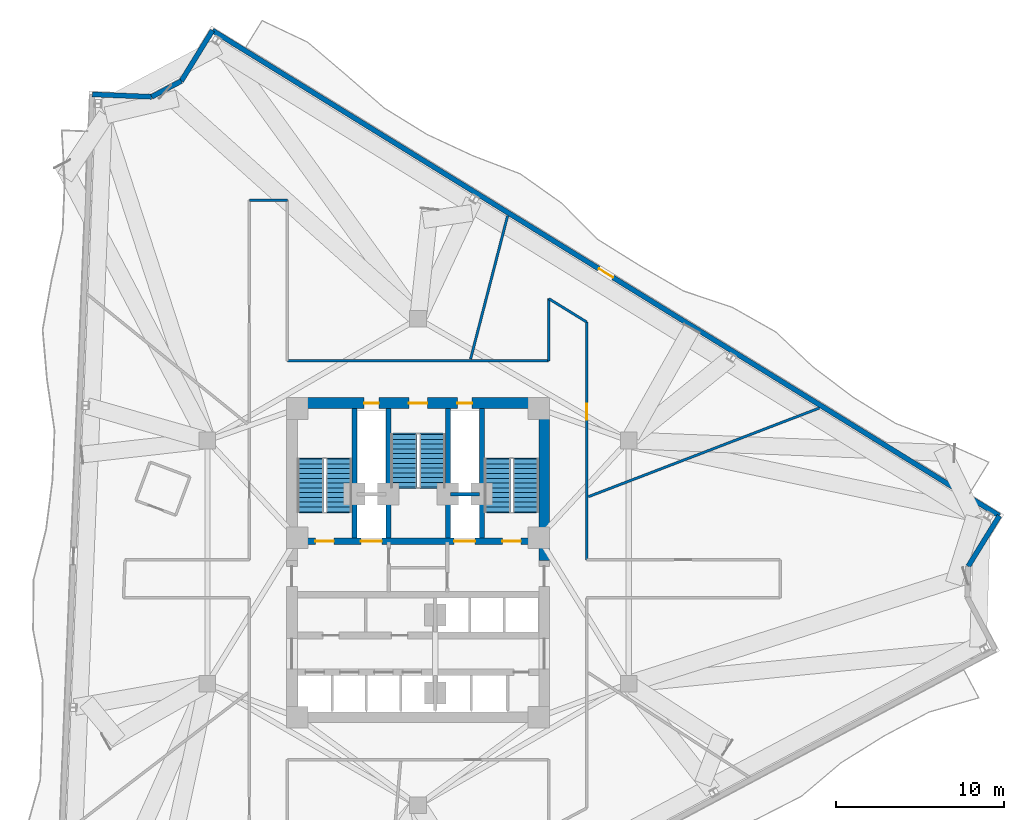
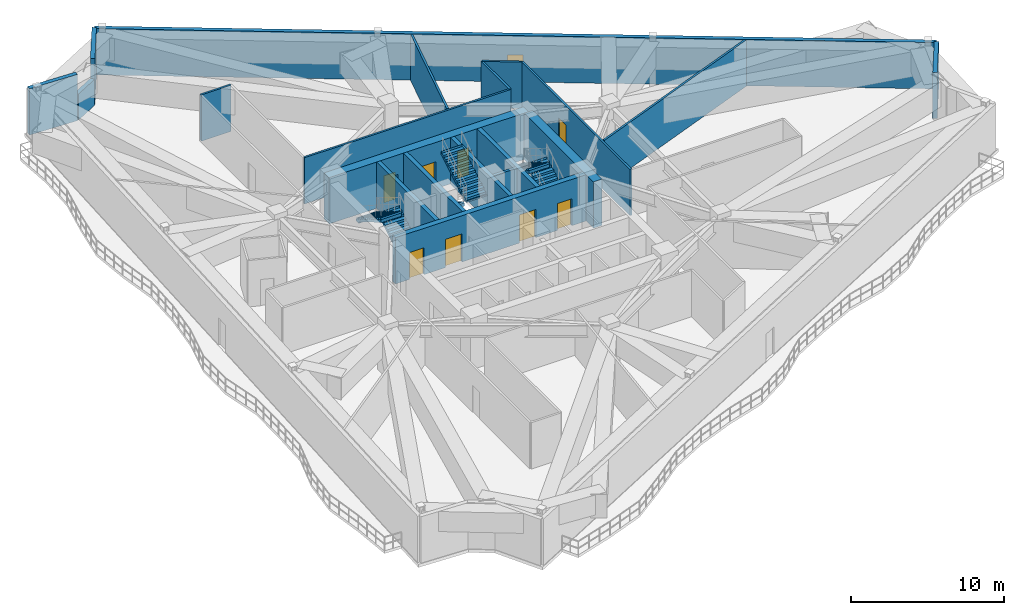
# One storey, part 10 of 14: 20 walls, 9 doors, 6 stair flights, 9 openings, 3 elements without a shape of their own.
"""IFC4 building model written with IfcOpenShell, lengths in metres."""

from ifc_helpers import new_model, si_unit, direction, frame, frame_2d, origin, place, context, subcontext, project, spatial, polyline, rectangle, outline, extrude, material, layer, layer_set, type_object, element, fill, aggregate, save


model = new_model("IFC4")

# Units and contexts
model_context = context("Model", 3, precision=1e-05, world=origin(), true_north=direction((0.0, 1.0)))
body_context = subcontext(model_context, "Body", "Model", "MODEL_VIEW")
ifc_project = project(units=[si_unit("LENGTHUNIT", "METRE"), si_unit("AREAUNIT", "SQUARE_METRE"), si_unit("VOLUMEUNIT", "CUBIC_METRE"), si_unit("PLANEANGLEUNIT", "RADIAN"), si_unit("MASSUNIT", "GRAM", prefix="KILO")], contexts=[model_context])

# Site, building, storey
site_placement = place(None, origin())
site = spatial("IfcSite", under=ifc_project, at=site_placement, CompositionType="ELEMENT")
building_placement = place(site_placement, origin())
building = spatial("IfcBuilding", under=site, at=building_placement, Name="Apsidion Concourse Tower", CompositionType="ELEMENT")
storey_placement = place(building_placement, frame((0.0, 0.0, 190.10009765625)))
storey = spatial("IfcBuildingStorey", under=building, at=storey_placement, Name="L44", CompositionType="ELEMENT", Elevation=190.10009765625)

# Wall, opening, door
ifc_material_1 = material(Name="Precast concrete C40/50", Category="concrete")
ifc_layer_1 = layer(ifc_material_1, 0.300048828125)
ifc_layer_set_1 = layer_set([ifc_layer_1], Name="Precast concrete C40/50")
wall_type_1 = type_object("IfcWallType", Name="WL-EXT-300", PredefinedType="STANDARD", material=ifc_layer_set_1)
wall_1_placement = place(storey_placement, frame((-12.255126953125, 31.68896484375, 0.0), z_axis=(0.0, 0.0, 1.0), x_axis=(0.851166647402, -0.524895549944, 0.0)))
wall_1 = element("IfcWall", 1, at=wall_1_placement, inside=storey, type_object=wall_type_1, Name="L44 Precast Stone Facade Wall 01", PredefinedType="STANDARD", context=body_context, shape_type="SweptSolid", body=[
    extrude(rectangle(XDim=55.110595703125, YDim=0.300048828125, at=frame_2d((27.55517578125, 0.0))), origin(), (0.0, 0.0, 1.0), 3.699951171875),
])
opening_1_placement = place(wall_1_placement, frame((27.055419921875, 0.0, 0.0)))
opening_1 = element("IfcOpeningElement", 2, at=opening_1_placement, cuts=wall_1, Name="Opening D-T1L", PredefinedType="OPENING", context=body_context, shape_type="SweptSolid", body=[
    extrude(rectangle(XDim=1.0, YDim=2.14990234375, at=frame_2d((0.5, 1.074951171875))), frame((0.0, 0.16015625, 0.0), z_axis=(0.0, -1.0, 0.0), x_axis=(1.0, 0.0, 0.0)), (0.0, 0.0, 1.0), 0.320068359375),
])
ifc_material_2 = material(Name="Anodised aluminium EN AW-6063 T6", Category="aluminium")
door_type_1 = type_object("IfcDoorType", Name="DR-TER-1022L", OperationType="SINGLE_SWING_LEFT", PredefinedType="DOOR", material=ifc_material_2)
door_1_placement = place(opening_1_placement, origin())
door_1 = element("IfcDoor", 3, at=door_1_placement, inside=storey, type_object=door_type_1, Name="L44 Balcony Access Door 3", OperationType="SINGLE_SWING_LEFT", OverallHeight=2.14990234375, OverallWidth=1.0, PredefinedType="DOOR", context=body_context, shape_type="SweptSolid", body=[
    extrude(rectangle(XDim=1.0, YDim=2.14990234375, at=frame_2d((0.5, 1.074951171875))), frame((0.0, 0.02490234375, 0.0), z_axis=(0.0, -1.0, 0.0), x_axis=(1.0, 0.0, 0.0)), (0.0, 0.0, 1.0), 0.050048828125),
])
fill(opening_1, door_1)

# Walls
wall_2_placement = place(storey_placement, frame((34.653076171875, 2.76171875, 0.0), z_axis=(0.0, 0.0, 1.0), x_axis=(-0.524920336071, -0.85115136185, 0.0)))
element("IfcWall", 4, at=wall_2_placement, inside=storey, type_object=wall_type_1, Name="L44 Precast Stone Facade Wall 02", PredefinedType="STANDARD", context=body_context, shape_type="SweptSolid", body=[
    extrude(rectangle(XDim=3.541259765625, YDim=0.300048828125, at=frame_2d((1.7705078125, 0.0))), origin(), (0.0, 0.0, 1.0), 3.699951171875),
])
wall_3_placement = place(storey_placement, frame((-19.418212890625, 27.880126953125, 0.0), z_axis=(0.0, 0.0, 1.0), x_axis=(0.999167250485, -0.040802028853, 0.0)))
element("IfcWall", 5, at=wall_3_placement, inside=storey, type_object=wall_type_1, Name="L44 Precast Stone Facade Wall 10", PredefinedType="STANDARD", context=body_context, shape_type="SweptSolid", body=[
    extrude(rectangle(XDim=3.542236328125, YDim=0.300048828125, at=frame_2d((1.77099609375, 0.0))), origin(), (0.0, 0.0, 1.0), 3.699951171875),
])
wall_4_placement = place(storey_placement, frame((-15.87890625, 27.735595703125, 0.0), z_axis=(0.0, 0.0, 1.0), x_axis=(0.882930579665, 0.469503558552, 0.0)))
element("IfcWall", 6, at=wall_4_placement, inside=storey, type_object=wall_type_1, Name="L44 Precast Stone Facade Wall 11", PredefinedType="STANDARD", context=body_context, shape_type="SweptSolid", body=[
    extrude(rectangle(XDim=1.998291015625, YDim=0.300048828125, at=frame_2d((0.9990234375, 0.0))), origin(), (0.0, 0.0, 1.0), 2.079833984375),
])
wall_5_placement = place(storey_placement, frame((-14.114501953125, 28.673828125, 0.0), z_axis=(0.0, 0.0, 1.0), x_axis=(0.524897025004, 0.851165737763, 0.0)))
element("IfcWall", 7, at=wall_5_placement, inside=storey, type_object=wall_type_1, Name="L44 Precast Stone Facade Wall 12", PredefinedType="STANDARD", context=body_context, shape_type="SweptSolid", body=[
    extrude(rectangle(XDim=3.54248046875, YDim=0.300048828125, at=frame_2d((1.771240234375, 0.0))), origin(), (0.0, 0.0, 1.0), 3.699951171875),
])
ifc_material_3 = material(Name="Gypsum plasterboard partition")
ifc_layer_2 = layer(ifc_material_3, 0.14990234375)
ifc_layer_set_2 = layer_set([ifc_layer_2], Name="Gypsum plasterboard partition")
wall_type_2 = type_object("IfcWallType", Name="WL-INT-PAR-150", PredefinedType="PARTITIONING", material=ifc_layer_set_2)
wall_6_placement = place(storey_placement, frame((-10.050048828125, 21.580078125, 0.0), z_axis=(0.0, 0.0, 1.0), x_axis=(1.0, 0.0, 0.0)))
element("IfcWall", 8, at=wall_6_placement, inside=storey, type_object=wall_type_2, Name="L44 Interior Partition WL-L44-CORR-11", PredefinedType="PARTITIONING", context=body_context, shape_type="SweptSolid", body=[
    extrude(rectangle(XDim=2.260009765625, YDim=0.14990234375, at=frame_2d((1.1298828125, 0.0))), origin(), (0.0, 0.0, 1.0), 3.699951171875),
])
wall_7_placement = place(storey_placement, frame((-7.7900390625, 12.0, 0.0), z_axis=(0.0, 0.0, 1.0), x_axis=(1.0, 0.0, 0.0)))
element("IfcWall", 9, at=wall_7_placement, inside=storey, type_object=wall_type_2, Name="L44 Interior Partition WL-L44-CORR-13", PredefinedType="PARTITIONING", context=body_context, shape_type="SweptSolid", body=[
    extrude(rectangle(XDim=15.580078125, YDim=0.14990234375, at=frame_2d((7.7900390625, 0.0))), origin(), (0.0, 0.0, 1.0), 3.699951171875),
])
wall_8_placement = place(storey_placement, frame((7.7900390625, 12.0, 0.0), z_axis=(0.0, 0.0, 1.0), x_axis=(0.0, 1.0, 0.0)))
element("IfcWall", 10, at=wall_8_placement, inside=storey, type_object=wall_type_2, Name="L44 Interior Partition WL-L44-CORR-14", PredefinedType="PARTITIONING", context=body_context, shape_type="SweptSolid", body=[
    extrude(rectangle(XDim=3.703125, YDim=0.14990234375, at=frame_2d((1.8515625, 0.0))), origin(), (0.0, 0.0, 1.0), 3.699951171875),
])
wall_9_placement = place(storey_placement, frame((7.7900390625, 15.703125, 0.0), z_axis=(0.0, 0.0, 1.0), x_axis=(0.851190724913, -0.52485650403, 0.0)))
element("IfcWall", 11, at=wall_9_placement, inside=storey, type_object=wall_type_2, Name="L44 Interior Partition WL-L44-CORR-15", PredefinedType="PARTITIONING", context=body_context, shape_type="SweptSolid", body=[
    extrude(rectangle(XDim=2.655029296875, YDim=0.14990234375, at=frame_2d((1.32763671875, 0.0))), origin(), (0.0, 0.0, 1.0), 3.699951171875),
])

# Wall, opening, door
wall_10_placement = place(storey_placement, frame((10.050048828125, 14.3095703125, 0.0), z_axis=(0.0, 0.0, 1.0), x_axis=(0.0, -1.0, 0.0)))
wall_10 = element("IfcWall", 12, at=wall_10_placement, inside=storey, type_object=wall_type_2, Name="L44 Interior Partition WL-L44-CORR-16", PredefinedType="PARTITIONING", context=body_context, shape_type="SweptSolid", body=[
    extrude(rectangle(XDim=14.1796875, YDim=0.14990234375, at=frame_2d((7.08984375, 0.0))), origin(), (0.0, 0.0, 1.0), 3.699951171875),
])
opening_2_placement = place(wall_10_placement, frame((4.860595703125, 0.0, 0.0)))
opening_2 = element("IfcOpeningElement", 13, at=opening_2_placement, cuts=wall_10, Name="Opening D-01L", PredefinedType="OPENING", context=body_context, shape_type="SweptSolid", body=[
    extrude(rectangle(XDim=0.949951171875, YDim=2.14990234375, at=frame_2d((0.47509765625, 1.074951171875))), frame((0.0, 0.0849609375, 0.0), z_axis=(0.0, -1.0, 0.0), x_axis=(1.0, 0.0, 0.0)), (0.0, 0.0, 1.0), 0.169921875),
])
ifc_material_4 = material(Name="Brushed stainless steel 316", Category="steel")
door_type_2 = type_object("IfcDoorType", Name="DR-INT-D01L", OperationType="SINGLE_SWING_LEFT", PredefinedType="DOOR", material=ifc_material_4)
door_2_placement = place(opening_2_placement, origin())
door_2 = element("IfcDoor", 14, at=door_2_placement, inside=storey, type_object=door_type_2, Name="L44 Corridor Entry Door 05", OperationType="SINGLE_SWING_LEFT", OverallHeight=2.14990234375, OverallWidth=0.949951171875, PredefinedType="DOOR", context=body_context, shape_type="SweptSolid", body=[
    extrude(rectangle(XDim=0.949951171875, YDim=2.14990234375, at=frame_2d((0.47509765625, 1.074951171875))), frame((0.0, 0.02490234375, 0.0), z_axis=(0.0, -1.0, 0.0), x_axis=(1.0, 0.0, 0.0)), (0.0, 0.0, 1.0), 0.050048828125),
])
fill(opening_2, door_2)

# Walls
wall_11_placement = place(storey_placement, frame((10.155029296875, 3.898193359375, 0.0), z_axis=(0.0, 0.0, 1.0), x_axis=(0.933582173368, 0.358363398759, 0.0)))
element("IfcWall", 15, at=wall_11_placement, inside=storey, type_object=wall_type_2, Name="L44 Interior Partition WL-L44-RAD-01-1", PredefinedType="PARTITIONING", context=body_context, shape_type="SweptSolid", body=[
    extrude(rectangle(XDim=14.74951171875, YDim=0.14990234375, at=frame_2d((7.374755859375, 0.0))), origin(), (0.0, 0.0, 1.0), 3.699951171875),
])
wall_12_placement = place(storey_placement, frame((3.130615234375, 12.10498046875, 0.0), z_axis=(0.0, 0.0, 1.0), x_axis=(0.250368509041, 0.968150613118, 0.0)))
element("IfcWall", 16, at=wall_12_placement, inside=storey, type_object=wall_type_2, Name="L44 Interior Partition WL-L44-RAD-02-1", PredefinedType="PARTITIONING", context=body_context, shape_type="SweptSolid", body=[
    extrude(rectangle(XDim=8.821044921875, YDim=0.14990234375, at=frame_2d((4.41064453125, 0.0))), origin(), (0.0, 0.0, 1.0), 3.699951171875),
])
ifc_layer_3 = layer(ifc_material_3, 0.199951171875)
ifc_layer_set_3 = layer_set([ifc_layer_3], Name="Gypsum plasterboard partition")
wall_type_3 = type_object("IfcWallType", Name="WL-INT-PAR-200", PredefinedType="PARTITIONING", material=ifc_layer_set_3)
wall_13_placement = place(storey_placement, frame((1.919921875, 4.050048828125, 0.0), z_axis=(0.0, 0.0, 1.0), x_axis=(1.0, 0.0, 0.0)))
element("IfcWall", 17, at=wall_13_placement, inside=storey, type_object=wall_type_3, Name="L44 Interior Partition WL-L44-FF2-N", PredefinedType="PARTITIONING", context=body_context, shape_type="SweptSolid", body=[
    extrude(rectangle(XDim=1.72998046875, YDim=0.199951171875, at=frame_2d((0.864990234375, 0.0))), origin(), (0.0, 0.0, 1.0), 3.699951171875),
])
ifc_material_5 = material(Name="Concrete C50/60", Category="concrete")
ifc_layer_4 = layer(ifc_material_5, 0.300048828125)
ifc_layer_set_4 = layer_set([ifc_layer_4], Name="Concrete C50/60")
wall_type_4 = type_object("IfcWallType", Name="WL-SH-300", PredefinedType="SHEAR", material=ifc_layer_set_4)
for number, where, z_axis, x_axis, name in (
    (18, (-3.800048828125, 1.449951171875, 0.0), (0.0, 0.0, 1.0), (0.0, 1.0, 0.0), "L44 Central Core Shear Wall V1"),
    (19, (-1.77490234375, 1.449951171875, 0.0), (0.0, 0.0, 1.0), (0.0, 1.0, 0.0), "L44 Central Core Shear Wall V2"),
    (20, (1.77490234375, 1.449951171875, 0.0), (0.0, 0.0, 1.0), (0.0, 1.0, 0.0), "L44 Central Core Shear Wall V3"),
    (21, (3.800048828125, 1.449951171875, 0.0), (0.0, 0.0, 1.0), (0.0, 1.0, 0.0), "L44 Central Core Shear Wall V4"),
):
    element("IfcWall", number, at=place(storey_placement, frame(where, z_axis=z_axis, x_axis=x_axis)), inside=storey, type_object=wall_type_4, Name=name, PredefinedType="SHEAR", context=body_context, shape_type="SweptSolid", body=[
        extrude(rectangle(XDim=7.699951171875, YDim=0.300048828125, at=frame_2d((3.85009765625, 0.0))), origin(), (0.0, 0.0, 1.0), 3.699951171875),
    ])

# Wall, openings, doors
ifc_layer_5 = layer(ifc_material_5, 0.39990234375)
ifc_layer_set_5 = layer_set([ifc_layer_5], Name="Concrete C50/60")
wall_type_5 = type_object("IfcWallType", Name="WL-SH-400", PredefinedType="SHEAR", material=ifc_layer_set_5)
wall_14_placement = place(storey_placement, frame((-7.199951171875, 1.25, 0.0), z_axis=(0.0, 0.0, 1.0), x_axis=(1.0, 0.0, 0.0)))
wall_14 = element("IfcWall", 22, at=wall_14_placement, inside=storey, type_object=wall_type_5, Name="L44 Central Core Shear Wall M1", PredefinedType="SHEAR", context=body_context, shape_type="SweptSolid", body=[
    extrude(rectangle(XDim=14.39990234375, YDim=0.39990234375, at=frame_2d((7.199951171875, 0.0))), origin(), (0.0, 0.0, 1.0), 3.699951171875),
])
opening_3_placement = place(wall_14_placement, frame((3.794921875, 0.0, 0.0)))
opening_3 = element("IfcOpeningElement", 23, at=opening_3_placement, cuts=wall_14, Name="Opening LD-FF", PredefinedType="OPENING", context=body_context, shape_type="SweptSolid", body=[
    extrude(rectangle(XDim=1.25, YDim=2.25, at=frame_2d((0.625, 1.125))), frame((0.0, 0.2099609375, 0.0), z_axis=(0.0, -1.0, 0.0), x_axis=(1.0, 0.0, 0.0)), (0.0, 0.0, 1.0), 0.419921875),
])
opening_4_placement = place(wall_14_placement, frame((9.35498046875, 0.0, 0.0)))
opening_4 = element("IfcOpeningElement", 24, at=opening_4_placement, cuts=wall_14, Name="Opening LD-FF", PredefinedType="OPENING", context=body_context, shape_type="SweptSolid", body=[
    extrude(rectangle(XDim=1.25, YDim=2.25, at=frame_2d((0.625, 1.125))), frame((0.0, 0.2099609375, 0.0), z_axis=(0.0, -1.0, 0.0), x_axis=(1.0, 0.0, 0.0)), (0.0, 0.0, 1.0), 0.419921875),
])
opening_5_placement = place(wall_14_placement, frame((1.074951171875, 0.0, 0.0)))
opening_5 = element("IfcOpeningElement", 25, at=opening_5_placement, cuts=wall_14, Name="Opening D-STL", PredefinedType="OPENING", context=body_context, shape_type="SweptSolid", body=[
    extrude(rectangle(XDim=1.10009765625, YDim=2.14990234375, at=frame_2d((0.550048828125, 1.074951171875))), frame((0.0, 0.2099609375, 0.0), z_axis=(0.0, -1.0, 0.0), x_axis=(1.0, 0.0, 0.0)), (0.0, 0.0, 1.0), 0.419921875),
])
opening_6_placement = place(wall_14_placement, frame((12.22509765625, 0.0, 0.0)))
opening_6 = element("IfcOpeningElement", 26, at=opening_6_placement, cuts=wall_14, Name="Opening D-STR", PredefinedType="OPENING", context=body_context, shape_type="SweptSolid", body=[
    extrude(rectangle(XDim=1.10009765625, YDim=2.14990234375, at=frame_2d((0.550048828125, 1.074951171875))), frame((0.0, 0.2099609375, 0.0), z_axis=(0.0, -1.0, 0.0), x_axis=(1.0, 0.0, 0.0)), (0.0, 0.0, 1.0), 0.419921875),
])
door_type_3 = type_object("IfcDoorType", Name="DR-INT-ST1L", OperationType="SINGLE_SWING_LEFT", PredefinedType="DOOR", material=ifc_material_4)
door_3_placement = place(opening_5_placement, origin())
door_3 = element("IfcDoor", 27, at=door_3_placement, inside=storey, type_object=door_type_3, Name="L44 Core Exit Stair ST1 Door", OperationType="SINGLE_SWING_LEFT", OverallHeight=2.14990234375, OverallWidth=1.10009765625, PredefinedType="DOOR", context=body_context, shape_type="SweptSolid", body=[
    extrude(rectangle(XDim=1.10009765625, YDim=2.14990234375, at=frame_2d((0.550048828125, 1.074951171875))), frame((0.0, 0.02490234375, 0.0), z_axis=(0.0, -1.0, 0.0), x_axis=(1.0, 0.0, 0.0)), (0.0, 0.0, 1.0), 0.050048828125),
])
fill(opening_5, door_3)
door_type_4 = type_object("IfcDoorType", Name="DR-INT-ST1R", OperationType="SINGLE_SWING_RIGHT", PredefinedType="DOOR", material=ifc_material_4)
door_4_placement = place(opening_6_placement, origin())
door_4 = element("IfcDoor", 28, at=door_4_placement, inside=storey, type_object=door_type_4, Name="L44 Core Exit Stair ST2 Door", OperationType="SINGLE_SWING_RIGHT", OverallHeight=2.14990234375, OverallWidth=1.10009765625, PredefinedType="DOOR", context=body_context, shape_type="SweptSolid", body=[
    extrude(rectangle(XDim=1.10009765625, YDim=2.14990234375, at=frame_2d((0.550048828125, 1.074951171875))), frame((0.0, 0.02490234375, 0.0), z_axis=(0.0, -1.0, 0.0), x_axis=(1.0, 0.0, 0.0)), (0.0, 0.0, 1.0), 0.050048828125),
])
fill(opening_6, door_4)
door_type_5 = type_object("IfcDoorType", Name="DR-LD-FSAE", OperationType="DOUBLE_DOOR_SLIDING", PredefinedType="DOOR", material=ifc_material_4)
door_5_placement = place(opening_3_placement, origin())
door_5 = element("IfcDoor", 29, at=door_5_placement, inside=storey, type_object=door_type_5, Name="L44 Lift Landing Door FF1", OperationType="DOUBLE_DOOR_SLIDING", OverallHeight=2.25, OverallWidth=1.25, PredefinedType="DOOR", context=body_context, shape_type="SweptSolid", body=[
    extrude(rectangle(XDim=1.25, YDim=2.25, at=frame_2d((0.625, 1.125))), frame((0.0, 0.02490234375, 0.0), z_axis=(0.0, -1.0, 0.0), x_axis=(1.0, 0.0, 0.0)), (0.0, 0.0, 1.0), 0.050048828125),
])
fill(opening_3, door_5)
door_6_placement = place(opening_4_placement, origin())
door_6 = element("IfcDoor", 30, at=door_6_placement, inside=storey, type_object=door_type_5, Name="L44 Lift Landing Door FF2", OperationType="DOUBLE_DOOR_SLIDING", OverallHeight=2.25, OverallWidth=1.25, PredefinedType="DOOR", context=body_context, shape_type="SweptSolid", body=[
    extrude(rectangle(XDim=1.25, YDim=2.25, at=frame_2d((0.625, 1.125))), frame((0.0, 0.02490234375, 0.0), z_axis=(0.0, -1.0, 0.0), x_axis=(1.0, 0.0, 0.0)), (0.0, 0.0, 1.0), 0.050048828125),
])
fill(opening_4, door_6)

ifc_layer_6 = layer(ifc_material_5, 0.64990234375)
ifc_layer_set_6 = layer_set([ifc_layer_6], Name="Concrete C50/60")
wall_type_6 = type_object("IfcWallType", Name="WL-SH-650", PredefinedType="SHEAR", material=ifc_layer_set_6)
wall_15_placement = place(storey_placement, frame((-7.52490234375, 9.47509765625, 0.0), z_axis=(0.0, 0.0, 1.0), x_axis=(1.0, 0.0, 0.0)))
wall_15 = element("IfcWall", 31, at=wall_15_placement, inside=storey, type_object=wall_type_6, Name="L44 Central Core Shear Wall N", PredefinedType="SHEAR", context=body_context, shape_type="SweptSolid", body=[
    extrude(rectangle(XDim=15.0498046875, YDim=0.64990234375, at=frame_2d((7.52490234375, 0.0))), origin(), (0.0, 0.0, 1.0), 3.699951171875),
])
opening_7_placement = place(wall_15_placement, frame((6.97509765625, 0.0, 0.0)))
opening_7 = element("IfcOpeningElement", 32, at=opening_7_placement, cuts=wall_15, Name="Opening D-STL", PredefinedType="OPENING", context=body_context, shape_type="SweptSolid", body=[
    extrude(rectangle(XDim=1.10009765625, YDim=2.14990234375, at=frame_2d((0.550048828125, 1.074951171875))), frame((0.0, 0.3349609375, 0.0), z_axis=(0.0, -1.0, 0.0), x_axis=(1.0, 0.0, 0.0)), (0.0, 0.0, 1.0), 0.669921875),
])
opening_8_placement = place(wall_15_placement, frame((4.304931640625, 0.0, 0.0)))
opening_8 = element("IfcOpeningElement", 33, at=opening_8_placement, cuts=wall_15, Name="Opening D-05L", PredefinedType="OPENING", context=body_context, shape_type="SweptSolid", body=[
    extrude(rectangle(XDim=0.8798828125, YDim=2.14990234375, at=frame_2d((0.43994140625, 1.074951171875))), frame((0.0, 0.3349609375, 0.0), z_axis=(0.0, -1.0, 0.0), x_axis=(1.0, 0.0, 0.0)), (0.0, 0.0, 1.0), 0.669921875),
])
opening_9_placement = place(wall_15_placement, frame((9.864990234375, 0.0, 0.0)))
opening_9 = element("IfcOpeningElement", 34, at=opening_9_placement, cuts=wall_15, Name="Opening D-05R", PredefinedType="OPENING", context=body_context, shape_type="SweptSolid", body=[
    extrude(rectangle(XDim=0.8798828125, YDim=2.14990234375, at=frame_2d((0.43994140625, 1.074951171875))), frame((0.0, 0.3349609375, 0.0), z_axis=(0.0, -1.0, 0.0), x_axis=(1.0, 0.0, 0.0)), (0.0, 0.0, 1.0), 0.669921875),
])
door_type_6 = type_object("IfcDoorType", Name="DR-INT-D05L", OperationType="SINGLE_SWING_LEFT", PredefinedType="DOOR", material=ifc_material_4)
door_7_placement = place(opening_8_placement, origin())
door_7 = element("IfcDoor", 35, at=door_7_placement, inside=storey, type_object=door_type_6, Name="L44 Electrical Riser Shaft Access Door", OperationType="SINGLE_SWING_LEFT", OverallHeight=2.14990234375, OverallWidth=0.8798828125, PredefinedType="DOOR", context=body_context, shape_type="SweptSolid", body=[
    extrude(rectangle(XDim=0.8798828125, YDim=2.14990234375, at=frame_2d((0.43994140625, 1.074951171875))), frame((0.0, 0.02490234375, 0.0), z_axis=(0.0, -1.0, 0.0), x_axis=(1.0, 0.0, 0.0)), (0.0, 0.0, 1.0), 0.050048828125),
])
fill(opening_8, door_7)
door_type_7 = type_object("IfcDoorType", Name="DR-INT-D05R", OperationType="SINGLE_SWING_RIGHT", PredefinedType="DOOR", material=ifc_material_4)
door_8_placement = place(opening_9_placement, origin())
door_8 = element("IfcDoor", 36, at=door_8_placement, inside=storey, type_object=door_type_7, Name="L44 Mechanical Riser Shaft Access Door", OperationType="SINGLE_SWING_RIGHT", OverallHeight=2.14990234375, OverallWidth=0.8798828125, PredefinedType="DOOR", context=body_context, shape_type="SweptSolid", body=[
    extrude(rectangle(XDim=0.8798828125, YDim=2.14990234375, at=frame_2d((0.43994140625, 1.074951171875))), frame((0.0, 0.02490234375, 0.0), z_axis=(0.0, -1.0, 0.0), x_axis=(1.0, 0.0, 0.0)), (0.0, 0.0, 1.0), 0.050048828125),
])
fill(opening_9, door_8)
door_9_placement = place(opening_7_placement, origin())
door_9 = element("IfcDoor", 37, at=door_9_placement, inside=storey, type_object=door_type_3, Name="L44 Core Exit Stair ST3 Door", OperationType="SINGLE_SWING_LEFT", OverallHeight=2.14990234375, OverallWidth=1.10009765625, PredefinedType="DOOR", context=body_context, shape_type="SweptSolid", body=[
    extrude(rectangle(XDim=1.10009765625, YDim=2.14990234375, at=frame_2d((0.550048828125, 1.074951171875))), frame((0.0, 0.02490234375, 0.0), z_axis=(0.0, -1.0, 0.0), x_axis=(1.0, 0.0, 0.0)), (0.0, 0.0, 1.0), 0.050048828125),
])
fill(opening_7, door_9)

# Wall
wall_16_placement = place(storey_placement, frame((7.52490234375, 0.10009765625, 0.0), z_axis=(0.0, 0.0, 1.0), x_axis=(0.0, 1.0, 0.0)))
element("IfcWall", 38, at=wall_16_placement, inside=storey, type_object=wall_type_6, Name="L44 Central Core Shear Wall EN", PredefinedType="SHEAR", context=body_context, shape_type="SweptSolid", body=[
    extrude(rectangle(XDim=9.0498046875, YDim=0.64990234375, at=frame_2d((4.52490234375, 0.0))), origin(), (0.0, 0.0, 1.0), 3.699951171875),
])

# Stair, stair flights
stair_type = type_object("IfcStairType", Name="ST-DL-1550", PredefinedType="HALF_TURN_STAIR", material=ifc_material_1)
stair_1_placement = place(storey_placement, origin())
stair_1 = element("IfcStair", 39, at=stair_1_placement, inside=storey, type_object=stair_type, Name="L44 Protected Core Exit Stair ST1", PredefinedType="HALF_TURN_STAIR")
stair_flight_type = type_object("IfcStairFlightType", Name="SFL-RC-1550", PredefinedType="STRAIGHT", material=ifc_material_1)
stair_flight_1_placement = place(storey_placement, frame((-4.72509765625, 3.0, 0.0), z_axis=(0.0, 0.0, 1.0), x_axis=(0.0, 1.0, 0.0)))
stair_flight_1 = element("IfcStairFlight", 40, at=stair_flight_1_placement, type_object=stair_flight_type, Name="ST1 flight 1", NumberOfRisers=12, NumberOfTreads=11, PredefinedType="STRAIGHT", RiserHeight=0.170833333, TreadLength=0.285, context=body_context, shape_type="SweptSolid", body=[
    extrude(outline(polyline([(-0.080078125, -0.1123046875), (-0.080078125, 0.0), (0.0, 0.0), (0.0, 0.1708984375), (0.284912109375, 0.1708984375), (0.284912109375, 0.341552734375), (0.570068359375, 0.341552734375), (0.570068359375, 0.512451171875), (0.85498046875, 0.512451171875), (0.85498046875, 0.683349609375), (1.139892578125, 0.683349609375), (1.139892578125, 0.854248046875), (1.425048828125, 0.854248046875), (1.425048828125, 1.02490234375), (1.7099609375, 1.02490234375), (1.7099609375, 1.19580078125), (1.9951171875, 1.19580078125), (1.9951171875, 1.36669921875), (2.280029296875, 1.36669921875), (2.280029296875, 1.53759765625), (2.56494140625, 1.53759765625), (2.56494140625, 1.708251953125), (2.85009765625, 1.708251953125), (2.85009765625, 1.879150390625), (3.135009765625, 1.879150390625), (3.135009765625, 2.050048828125), (3.215087890625, 1.964599609375), (3.215087890625, 1.704345703125), (3.135009765625, 1.704345703125), (0.29150390625, 0.0), (0.29150390625, -0.1123046875), (-0.080078125, -0.1123046875)])), frame((0.0, 0.77490234375, 0.0), z_axis=(0.0, -1.0, 0.0), x_axis=(1.0, 0.0, 0.0)), (0.0, 0.0, 1.0), 1.550048828125),
])
stair_flight_2_placement = place(storey_placement, frame((-6.425048828125, 6.135009765625, 2.0498046875), z_axis=(0.0, 0.0, 1.0), x_axis=(0.0, -1.0, 0.0)))
stair_flight_2 = element("IfcStairFlight", 41, at=stair_flight_2_placement, type_object=stair_flight_type, Name="ST1 flight 2", NumberOfRisers=12, NumberOfTreads=11, PredefinedType="STRAIGHT", RiserHeight=0.170833333, TreadLength=0.285, context=body_context, shape_type="SweptSolid", body=[
    extrude(outline(polyline([(-0.080078125, -0.1123046875), (-0.080078125, 0.0), (0.0, 0.0), (0.0, 0.1708984375), (0.284912109375, 0.1708984375), (0.284912109375, 0.341552734375), (0.570068359375, 0.341552734375), (0.570068359375, 0.512451171875), (0.85498046875, 0.512451171875), (0.85498046875, 0.683349609375), (1.139892578125, 0.683349609375), (1.139892578125, 0.854248046875), (1.425048828125, 0.854248046875), (1.425048828125, 1.02490234375), (1.7099609375, 1.02490234375), (1.7099609375, 1.19580078125), (1.9951171875, 1.19580078125), (1.9951171875, 1.36669921875), (2.280029296875, 1.36669921875), (2.280029296875, 1.53759765625), (2.56494140625, 1.53759765625), (2.56494140625, 1.708251953125), (2.85009765625, 1.708251953125), (2.85009765625, 1.879150390625), (3.135009765625, 1.879150390625), (3.135009765625, 2.050048828125), (3.215087890625, 1.964599609375), (3.215087890625, 1.704345703125), (3.135009765625, 1.704345703125), (0.29150390625, 0.0), (0.29150390625, -0.1123046875), (-0.080078125, -0.1123046875)])), frame((0.0, 0.77490234375, 0.0), z_axis=(0.0, -1.0, 0.0), x_axis=(1.0, 0.0, 0.0)), (0.0, 0.0, 1.0), 1.550048828125),
])
aggregate(stair_1, [stair_flight_1, stair_flight_2])

stair_2_placement = place(storey_placement, origin())
stair_2 = element("IfcStair", 42, at=stair_2_placement, inside=storey, type_object=stair_type, Name="L44 Protected Core Exit Stair ST2", PredefinedType="HALF_TURN_STAIR")
stair_flight_3_placement = place(storey_placement, frame((6.425048828125, 3.0, 0.0), z_axis=(0.0, 0.0, 1.0), x_axis=(0.0, 1.0, 0.0)))
stair_flight_3 = element("IfcStairFlight", 43, at=stair_flight_3_placement, type_object=stair_flight_type, Name="ST2 flight 1", NumberOfRisers=12, NumberOfTreads=11, PredefinedType="STRAIGHT", RiserHeight=0.170833333, TreadLength=0.285, context=body_context, shape_type="SweptSolid", body=[
    extrude(outline(polyline([(-0.080078125, -0.1123046875), (-0.080078125, 0.0), (0.0, 0.0), (0.0, 0.1708984375), (0.284912109375, 0.1708984375), (0.284912109375, 0.341552734375), (0.570068359375, 0.341552734375), (0.570068359375, 0.512451171875), (0.85498046875, 0.512451171875), (0.85498046875, 0.683349609375), (1.139892578125, 0.683349609375), (1.139892578125, 0.854248046875), (1.425048828125, 0.854248046875), (1.425048828125, 1.02490234375), (1.7099609375, 1.02490234375), (1.7099609375, 1.19580078125), (1.9951171875, 1.19580078125), (1.9951171875, 1.36669921875), (2.280029296875, 1.36669921875), (2.280029296875, 1.53759765625), (2.56494140625, 1.53759765625), (2.56494140625, 1.708251953125), (2.85009765625, 1.708251953125), (2.85009765625, 1.879150390625), (3.135009765625, 1.879150390625), (3.135009765625, 2.050048828125), (3.215087890625, 1.964599609375), (3.215087890625, 1.704345703125), (3.135009765625, 1.704345703125), (0.29150390625, 0.0), (0.29150390625, -0.1123046875), (-0.080078125, -0.1123046875)])), frame((0.0, 0.77490234375, 0.0), z_axis=(0.0, -1.0, 0.0), x_axis=(1.0, 0.0, 0.0)), (0.0, 0.0, 1.0), 1.550048828125),
])
stair_flight_4_placement = place(storey_placement, frame((4.72509765625, 6.135009765625, 2.0498046875), z_axis=(0.0, 0.0, 1.0), x_axis=(0.0, -1.0, 0.0)))
stair_flight_4 = element("IfcStairFlight", 44, at=stair_flight_4_placement, type_object=stair_flight_type, Name="ST2 flight 2", NumberOfRisers=12, NumberOfTreads=11, PredefinedType="STRAIGHT", RiserHeight=0.170833333, TreadLength=0.285, context=body_context, shape_type="SweptSolid", body=[
    extrude(outline(polyline([(-0.080078125, -0.1123046875), (-0.080078125, 0.0), (0.0, 0.0), (0.0, 0.1708984375), (0.284912109375, 0.1708984375), (0.284912109375, 0.341552734375), (0.570068359375, 0.341552734375), (0.570068359375, 0.512451171875), (0.85498046875, 0.512451171875), (0.85498046875, 0.683349609375), (1.139892578125, 0.683349609375), (1.139892578125, 0.854248046875), (1.425048828125, 0.854248046875), (1.425048828125, 1.02490234375), (1.7099609375, 1.02490234375), (1.7099609375, 1.19580078125), (1.9951171875, 1.19580078125), (1.9951171875, 1.36669921875), (2.280029296875, 1.36669921875), (2.280029296875, 1.53759765625), (2.56494140625, 1.53759765625), (2.56494140625, 1.708251953125), (2.85009765625, 1.708251953125), (2.85009765625, 1.879150390625), (3.135009765625, 1.879150390625), (3.135009765625, 2.050048828125), (3.215087890625, 1.964599609375), (3.215087890625, 1.704345703125), (3.135009765625, 1.704345703125), (0.29150390625, 0.0), (0.29150390625, -0.1123046875), (-0.080078125, -0.1123046875)])), frame((0.0, 0.77490234375, 0.0), z_axis=(0.0, -1.0, 0.0), x_axis=(1.0, 0.0, 0.0)), (0.0, 0.0, 1.0), 1.550048828125),
])
aggregate(stair_2, [stair_flight_3, stair_flight_4])

stair_3_placement = place(storey_placement, origin())
stair_3 = element("IfcStair", 45, at=stair_3_placement, inside=storey, type_object=stair_type, Name="L44 Protected Core Exit Stair ST3", PredefinedType="HALF_TURN_STAIR")
stair_flight_5_placement = place(storey_placement, frame((-0.85009765625, 7.60009765625, 0.0), z_axis=(0.0, 0.0, 1.0), x_axis=(0.0, -1.0, 0.0)))
stair_flight_5 = element("IfcStairFlight", 46, at=stair_flight_5_placement, type_object=stair_flight_type, Name="ST3 flight 1", NumberOfRisers=12, NumberOfTreads=11, PredefinedType="STRAIGHT", RiserHeight=0.170833333, TreadLength=0.285, context=body_context, shape_type="SweptSolid", body=[
    extrude(outline(polyline([(-0.080078125, -0.1123046875), (-0.080078125, 0.0), (0.0, 0.0), (0.0, 0.1708984375), (0.284912109375, 0.1708984375), (0.284912109375, 0.341552734375), (0.570068359375, 0.341552734375), (0.570068359375, 0.512451171875), (0.85498046875, 0.512451171875), (0.85498046875, 0.683349609375), (1.139892578125, 0.683349609375), (1.139892578125, 0.854248046875), (1.425048828125, 0.854248046875), (1.425048828125, 1.02490234375), (1.7099609375, 1.02490234375), (1.7099609375, 1.19580078125), (1.9951171875, 1.19580078125), (1.9951171875, 1.36669921875), (2.280029296875, 1.36669921875), (2.280029296875, 1.53759765625), (2.56494140625, 1.53759765625), (2.56494140625, 1.708251953125), (2.85009765625, 1.708251953125), (2.85009765625, 1.879150390625), (3.135009765625, 1.879150390625), (3.135009765625, 2.050048828125), (3.215087890625, 1.964599609375), (3.215087890625, 1.704345703125), (3.135009765625, 1.704345703125), (0.29150390625, 0.0), (0.29150390625, -0.1123046875), (-0.080078125, -0.1123046875)])), frame((0.0, 0.77490234375, 0.0), z_axis=(0.0, -1.0, 0.0), x_axis=(1.0, 0.0, 0.0)), (0.0, 0.0, 1.0), 1.550048828125),
])
stair_flight_6_placement = place(storey_placement, frame((0.85009765625, 4.465087890625, 2.0498046875), z_axis=(0.0, 0.0, 1.0), x_axis=(0.0, 1.0, 0.0)))
stair_flight_6 = element("IfcStairFlight", 47, at=stair_flight_6_placement, type_object=stair_flight_type, Name="ST3 flight 2", NumberOfRisers=12, NumberOfTreads=11, PredefinedType="STRAIGHT", RiserHeight=0.170833333, TreadLength=0.285, context=body_context, shape_type="SweptSolid", body=[
    extrude(outline(polyline([(-0.080078125, -0.1123046875), (-0.080078125, 0.0), (0.0, 0.0), (0.0, 0.1708984375), (0.284912109375, 0.1708984375), (0.284912109375, 0.341552734375), (0.570068359375, 0.341552734375), (0.570068359375, 0.512451171875), (0.85498046875, 0.512451171875), (0.85498046875, 0.683349609375), (1.139892578125, 0.683349609375), (1.139892578125, 0.854248046875), (1.425048828125, 0.854248046875), (1.425048828125, 1.02490234375), (1.7099609375, 1.02490234375), (1.7099609375, 1.19580078125), (1.9951171875, 1.19580078125), (1.9951171875, 1.36669921875), (2.280029296875, 1.36669921875), (2.280029296875, 1.53759765625), (2.56494140625, 1.53759765625), (2.56494140625, 1.708251953125), (2.85009765625, 1.708251953125), (2.85009765625, 1.879150390625), (3.135009765625, 1.879150390625), (3.135009765625, 2.050048828125), (3.215087890625, 1.964599609375), (3.215087890625, 1.704345703125), (3.135009765625, 1.704345703125), (0.29150390625, 0.0), (0.29150390625, -0.1123046875), (-0.080078125, -0.1123046875)])), frame((0.0, 0.77490234375, 0.0), z_axis=(0.0, -1.0, 0.0), x_axis=(1.0, 0.0, 0.0)), (0.0, 0.0, 1.0), 1.550048828125),
])
aggregate(stair_3, [stair_flight_5, stair_flight_6])

save(model, "model.ifc")
